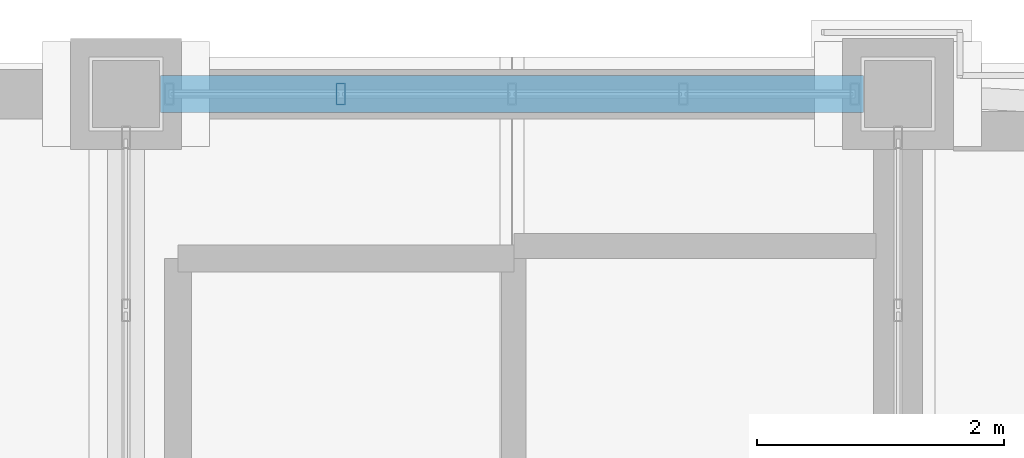
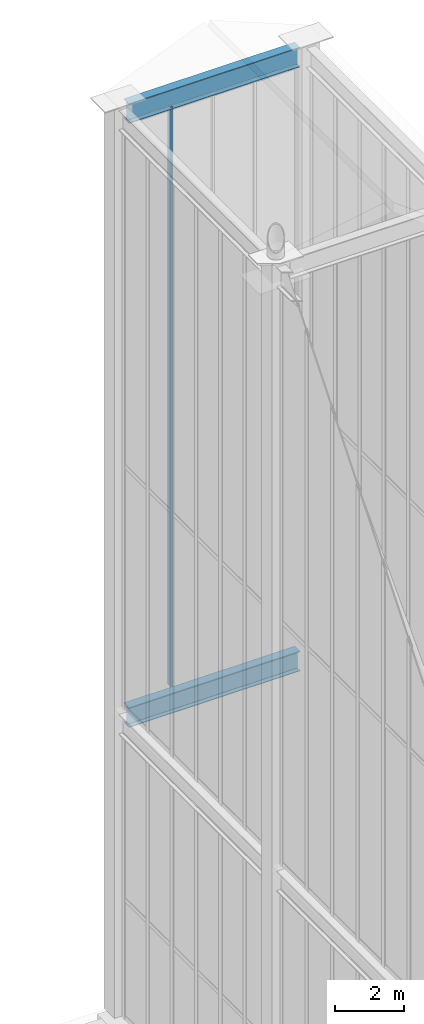
# One storey, part 110 of 135: 2 beams, 1 member, 1 element without a shape of its own.
"""IFC4 building model written with IfcOpenShell, lengths in metres."""

from ifc_helpers import new_model, si_unit, direction, frame, origin, origin_2d, place, context, subcontext, project, spatial, hollow_rectangle, i_section, extrude, source, transform, mapped, material, layer, layer_set, material_profile, profile_set, type_object, element, aggregate, save


model = new_model("IFC4")

# Units and contexts
model_context = context("Model", 3, precision=1e-05, world=origin(), true_north=direction((0.0, 1.0)))
body_context = subcontext(model_context, "Body", "Model", "MODEL_VIEW")
ifc_project = project(units=[si_unit("LENGTHUNIT", "METRE"), si_unit("AREAUNIT", "SQUARE_METRE"), si_unit("VOLUMEUNIT", "CUBIC_METRE"), si_unit("PLANEANGLEUNIT", "RADIAN"), si_unit("MASSUNIT", "GRAM", prefix="KILO")], contexts=[model_context])

# Site, building, storey
site_placement = place(None, origin())
site = spatial("IfcSite", under=ifc_project, at=site_placement, CompositionType="ELEMENT")
building_placement = place(site_placement, origin())
building = spatial("IfcBuilding", under=site, at=building_placement, Name="Giltprow Tower", CompositionType="ELEMENT")
storey_placement = place(building_placement, frame((0.0, 0.0, 352.699951171875)))
storey = spatial("IfcBuildingStorey", under=building, at=storey_placement, Name="L92", CompositionType="ELEMENT", Elevation=352.699951171875)

# Beams
ifc_material_1 = material(Name="Structural steel Q355B", Category="steel")
ifc_material_profile_1 = material_profile(ifc_material_1, i_section(OverallWidth=0.300048828125, OverallDepth=0.699951171875, WebThickness=0.012939453125, FlangeThickness=0.02392578125, at=origin_2d()), Name="HN 700x300x13x24")
ifc_profile_set_1 = profile_set([ifc_material_profile_1], Name="Structural steel Q355B")
beam_type = type_object("IfcBeamType", Name="BM-CRN-RING-HN700", PredefinedType="BEAM", material=ifc_profile_set_1)
shared_shape_1 = source(origin(), body_context, "Body", "SweptSolid", [
    extrude(i_section(OverallWidth=0.300048828125, OverallDepth=0.699951171875, WebThickness=0.012939453125, FlangeThickness=0.02392578125, at=origin_2d()), origin(), (0.0, 0.0, 1.0), 5.68994140625),
])
for number, where, z_axis, x_axis, name in (
    (1, (50.27001953125, 46.550048828125, 16.699951171875), (-1.0, 0.0, 0.0), (0.0, -1.0, 0.0), "Crown Frame East Ring Beam 1-4"),
    (2, (50.27001953125, 46.550048828125, 37.966064453125), (-1.0, 0.0, 0.0), (0.0, -1.0, 0.0), "Crown Frame East Ring Beam 2-4"),
):
    element("IfcBeam", number, at=place(storey_placement, frame(where, z_axis=z_axis, x_axis=x_axis)), inside=storey, type_object=beam_type, Name=name, PredefinedType="BEAM", context=body_context, shape_type="MappedRepresentation", body=[
        mapped(shared_shape_1, transform((0.0, 0.0, 0.0), x_axis=(1.0, 0.0, 0.0), y_axis=(0.0, 1.0, 0.0), z_axis=(0.0, 0.0, 1.0), scale=1.0)),
    ])

# Curtain wall, member
ifc_material_2 = material(Name="Anodized bronze", Category="metal")
ifc_layer = layer(ifc_material_2, 0.179931640625, Name="Anodized bronze")
ifc_layer_set = layer_set([ifc_layer], Name="Anodized bronze")
curtain_wall_type = type_object("IfcCurtainWallType", Name="CW-CROWN-LANTERN", PredefinedType="NOTDEFINED", material=ifc_layer_set)
curtain_wall_placement = place(storey_placement, origin())
curtain_wall = element("IfcCurtainWall", 3, at=curtain_wall_placement, inside=storey, type_object=curtain_wall_type, Name="Crown East Upper Lantern Glazing 4", PredefinedType="NOTDEFINED")
ifc_material_profile_2 = material_profile(ifc_material_2, hollow_rectangle(XDim=0.074951171875, YDim=0.179931640625, WallThickness=0.008056640625, at=origin_2d()), Name="RHS 180x75x8")
ifc_profile_set_2 = profile_set([ifc_material_profile_2], Name="Anodized bronze")
member_type = type_object("IfcMemberType", Name="CW-MULLION-180x75", PredefinedType="MULLION", material=ifc_profile_set_2)
shared_shape_2 = source(origin(), body_context, "Body", "SweptSolid", [
    extrude(hollow_rectangle(XDim=0.074951171875, YDim=0.179931640625, WallThickness=0.008056640625, at=origin_2d()), origin(), (0.0, 0.0, 1.0), 20.406005859375),
])
member_placement = place(storey_placement, frame((46.0380859375, 46.550048828125, 17.25), z_axis=(0.0, 0.0, 1.0), x_axis=(1.0, 0.0, 0.0)))
member = element("IfcMember", 4, at=member_placement, type_object=member_type, Name="Crown East Upper Lantern Glazing 4 Mullion 4", PredefinedType="MULLION", context=body_context, shape_type="MappedRepresentation", body=[
    mapped(shared_shape_2, transform((0.0, 0.0, 0.0), x_axis=(1.0, 0.0, 0.0), y_axis=(0.0, 1.0, 0.0), z_axis=(0.0, 0.0, 1.0), scale=1.0)),
])
aggregate(curtain_wall, [member])

save(model, "model.ifc")
